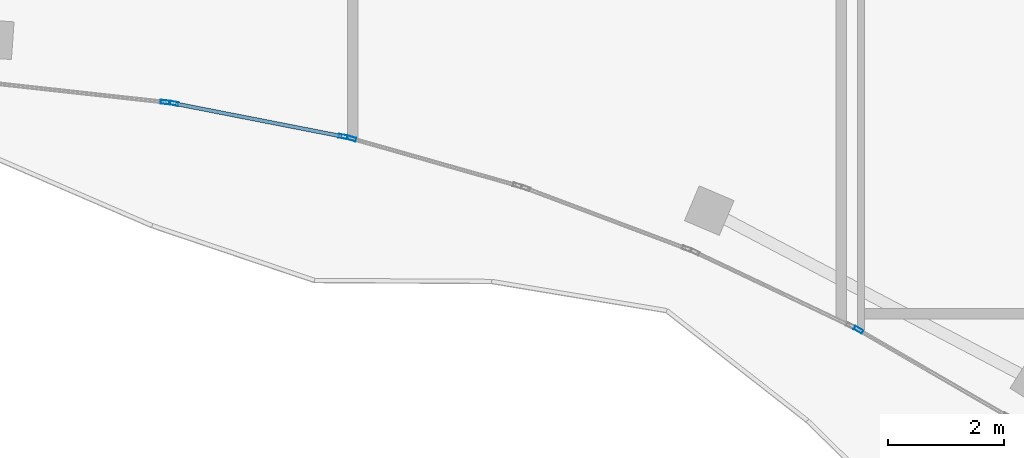
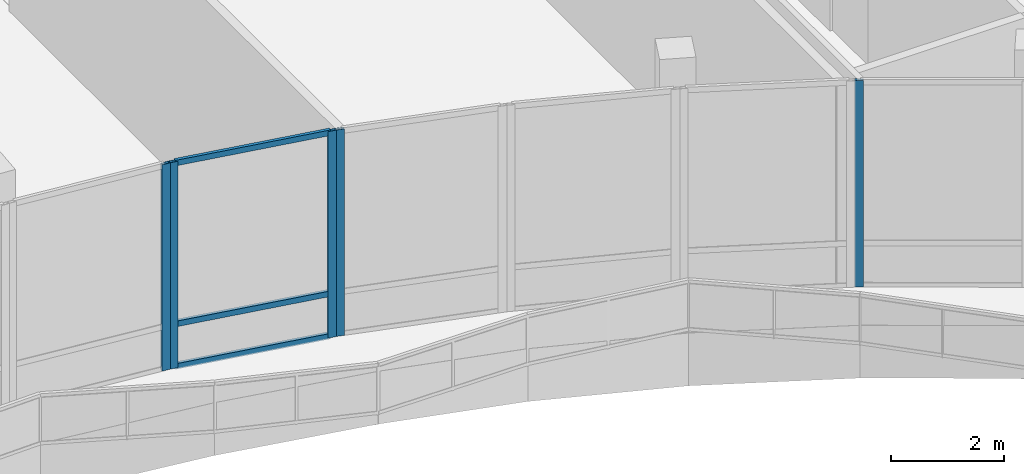
# One storey, part 93 of 155: 8 members, 4 elements without a shape of their own.
"""IFC4 building model written with IfcOpenShell, lengths in metres."""

from ifc_helpers import new_model, si_unit, direction, frame, origin, origin_2d, place, context, subcontext, project, spatial, hollow_rectangle, extrude, material, material_profile, profile_set, type_object, element, aggregate, save


model = new_model("IFC4")

# Units and contexts
model_context = context("Model", 3, precision=1e-05, world=origin(), true_north=direction((0.0, 1.0)))
body_context = subcontext(model_context, "Body", "Model", "MODEL_VIEW")
ifc_project = project(units=[si_unit("LENGTHUNIT", "METRE"), si_unit("AREAUNIT", "SQUARE_METRE"), si_unit("VOLUMEUNIT", "CUBIC_METRE"), si_unit("PLANEANGLEUNIT", "RADIAN"), si_unit("MASSUNIT", "GRAM", prefix="KILO")], contexts=[model_context])

# Site, building, storey
site_placement = place(None, origin())
site = spatial("IfcSite", under=ifc_project, at=site_placement, CompositionType="ELEMENT")
building_placement = place(site_placement, origin())
building = spatial("IfcBuilding", under=site, at=building_placement, Name="Selatvlak General Hospital", CompositionType="ELEMENT")
storey_placement = place(building_placement, frame((0.0, 0.0, 10.199951171875)))
storey = spatial("IfcBuildingStorey", under=building, at=storey_placement, Name="L02", CompositionType="ELEMENT", Elevation=10.199951171875)

# Curtain wall, member
ifc_material_1 = material(Name="Solar-control Low-E double glazing", Category="glass")
curtain_wall_type_1 = type_object("IfcCurtainWallType", Name="CW-CW-01", PredefinedType="USERDEFINED", material=ifc_material_1)
curtain_wall_1_placement = place(storey_placement, origin())
curtain_wall_1 = element("IfcCurtainWall", 1, at=curtain_wall_1_placement, inside=storey, type_object=curtain_wall_type_1, Name="Glazed facade curtain wall CW-L02-0277", ObjectType="UNITISED CURTAIN WALL", PredefinedType="USERDEFINED")
ifc_material_2 = material(Name="Dark anodised aluminium mullion", Category="aluminium")
ifc_material_profile_1 = material_profile(ifc_material_2, hollow_rectangle(XDim=0.06494140625, YDim=0.159912109375, WallThickness=0.00390625, at=origin_2d()), Name="AL-MUL 65x160x4")
ifc_profile_set_1 = profile_set([ifc_material_profile_1], Name="Dark anodised aluminium mullion")
member_type_1 = type_object("IfcMemberType", Name="CWM-01", PredefinedType="MULLION", material=ifc_profile_set_1)
member_1_placement = place(storey_placement, frame((157.4921875, 49.667724609375, 0.0), z_axis=(0.0, 0.0, 1.0), x_axis=(-0.501491093657, -0.865162807212, 0.0)))
member_1 = element("IfcMember", 2, at=member_1_placement, type_object=member_type_1, Name="CW-01 mullion 2", PredefinedType="MULLION", context=body_context, shape_type="SweptSolid", body=[
    extrude(hollow_rectangle(XDim=0.06494140625, YDim=0.159912109375, WallThickness=0.00390625, at=origin_2d()), origin(), (0.0, 0.0, 1.0), 4.4599609375),
])
aggregate(curtain_wall_1, [member_1])

curtain_wall_type_2 = type_object("IfcCurtainWallType", Name="CW-CW-02", PredefinedType="USERDEFINED", material=ifc_material_1)
curtain_wall_2_placement = place(storey_placement, origin())
curtain_wall_2 = element("IfcCurtainWall", 3, at=curtain_wall_2_placement, inside=storey, type_object=curtain_wall_type_2, Name="Glazed facade curtain wall CW-L02-0280", ObjectType="UNITISED CURTAIN WALL", PredefinedType="USERDEFINED")
member_2_placement = place(storey_placement, frame((148.7783203125, 52.9560546875, 0.0), z_axis=(0.0, 0.0, 1.0), x_axis=(-0.272846888748, -0.962057469853, 0.0)))
member_2 = element("IfcMember", 4, at=member_2_placement, type_object=member_type_1, Name="CW-02 mullion 2", PredefinedType="MULLION", context=body_context, shape_type="SweptSolid", body=[
    extrude(hollow_rectangle(XDim=0.06494140625, YDim=0.159912109375, WallThickness=0.00390625, at=origin_2d()), origin(), (0.0, 0.0, 1.0), 4.4599609375),
])
aggregate(curtain_wall_2, [member_2])

# Curtain wall, members
curtain_wall_3_placement = place(storey_placement, origin())
curtain_wall_3 = element("IfcCurtainWall", 5, at=curtain_wall_3_placement, inside=storey, type_object=curtain_wall_type_1, Name="Glazed facade curtain wall CW-L02-0281", ObjectType="UNITISED CURTAIN WALL", PredefinedType="USERDEFINED")
member_3_placement = place(storey_placement, frame((148.63720703125, 52.98828125, 0.0), z_axis=(0.0, 0.0, 1.0), x_axis=(-0.192246345827, -0.981346698428, 0.0)))
member_3 = element("IfcMember", 6, at=member_3_placement, type_object=member_type_1, Name="CW-01 mullion 1", PredefinedType="MULLION", context=body_context, shape_type="SweptSolid", body=[
    extrude(hollow_rectangle(XDim=0.06494140625, YDim=0.159912109375, WallThickness=0.00390625, at=origin_2d()), origin(), (0.0, 0.0, 1.0), 4.4599609375),
])
member_4_placement = place(storey_placement, frame((145.724853515625, 53.558837890625, 0.0), z_axis=(0.0, 0.0, 1.0), x_axis=(-0.192246345827, -0.981346698428, 0.0)))
member_4 = element("IfcMember", 7, at=member_4_placement, type_object=member_type_1, Name="CW-01 mullion 2", PredefinedType="MULLION", context=body_context, shape_type="SweptSolid", body=[
    extrude(hollow_rectangle(XDim=0.06494140625, YDim=0.159912109375, WallThickness=0.00390625, at=origin_2d()), origin(), (0.0, 0.0, 1.0), 4.4599609375),
])

# Curtain wall, member
curtain_wall_4_placement = place(storey_placement, origin())
curtain_wall_4 = element("IfcCurtainWall", 8, at=curtain_wall_4_placement, inside=storey, type_object=curtain_wall_type_2, Name="Glazed facade curtain wall CW-L02-0282", ObjectType="UNITISED CURTAIN WALL", PredefinedType="USERDEFINED")
member_5_placement = place(storey_placement, frame((145.580810546875, 53.57958984375, 0.0), z_axis=(0.0, 0.0, 1.0), x_axis=(-0.109780202548, -0.993955887919, 0.0)))
member_5 = element("IfcMember", 9, at=member_5_placement, type_object=member_type_1, Name="CW-02 mullion 1", PredefinedType="MULLION", context=body_context, shape_type="SweptSolid", body=[
    extrude(hollow_rectangle(XDim=0.06494140625, YDim=0.159912109375, WallThickness=0.00390625, at=origin_2d()), origin(), (0.0, 0.0, 1.0), 4.4599609375),
])
aggregate(curtain_wall_4, [member_5])

# Member
ifc_material_profile_2 = material_profile(ifc_material_2, hollow_rectangle(XDim=0.06494140625, YDim=0.1201171875, WallThickness=0.00390625, at=origin_2d()), Name="AL-TRN 65x120x4")
ifc_profile_set_2 = profile_set([ifc_material_profile_2], Name="Dark anodised aluminium mullion")
member_type_2 = type_object("IfcMemberType", Name="CWT-01", PredefinedType="USERDEFINED", material=ifc_profile_set_2)
member_6_placement = place(storey_placement, frame((148.605224609375, 52.994384765625, 0.032470703125), z_axis=(-0.981339899237, 0.19228104994, 0.0), x_axis=(-0.19228104994, -0.981339899237, 0.0)))
member_6 = element("IfcMember", 10, at=member_6_placement, type_object=member_type_2, Name="CW-01 transom 1.1", ObjectType="TRANSOM", PredefinedType="USERDEFINED", context=body_context, shape_type="SweptSolid", body=[
    extrude(hollow_rectangle(XDim=0.06494140625, YDim=0.1201171875, WallThickness=0.00390625, at=origin_2d()), origin(), (0.0, 0.0, 1.0), 2.902587890625),
])

member_7_placement = place(storey_placement, frame((148.605224609375, 52.994384765625, 0.949951171875), z_axis=(-0.981339899237, 0.19228104994, 0.0), x_axis=(-0.19228104994, -0.981339899237, 0.0)))
member_7 = element("IfcMember", 11, at=member_7_placement, type_object=member_type_2, Name="CW-01 transom 1.2", ObjectType="TRANSOM", PredefinedType="USERDEFINED", context=body_context, shape_type="SweptSolid", body=[
    extrude(hollow_rectangle(XDim=0.06494140625, YDim=0.1201171875, WallThickness=0.00390625, at=origin_2d()), origin(), (0.0, 0.0, 1.0), 2.902587890625),
])

member_8_placement = place(storey_placement, frame((148.605224609375, 52.994384765625, 4.427490234375), z_axis=(-0.981339899237, 0.19228104994, 0.0), x_axis=(-0.19228104994, -0.981339899237, 0.0)))
member_8 = element("IfcMember", 12, at=member_8_placement, type_object=member_type_2, Name="CW-01 transom 1.3", ObjectType="TRANSOM", PredefinedType="USERDEFINED", context=body_context, shape_type="SweptSolid", body=[
    extrude(hollow_rectangle(XDim=0.06494140625, YDim=0.1201171875, WallThickness=0.00390625, at=origin_2d()), origin(), (0.0, 0.0, 1.0), 2.902587890625),
])

aggregate(curtain_wall_3, [member_3, member_4, member_6, member_7, member_8])

save(model, "model.ifc")
